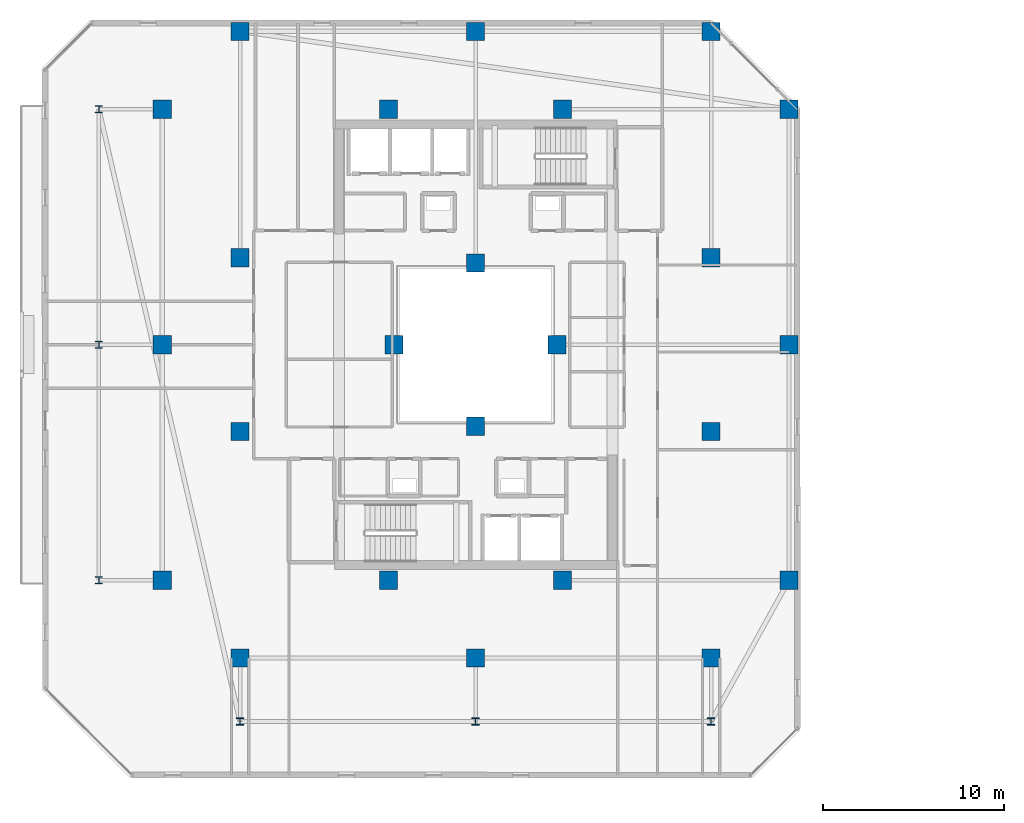
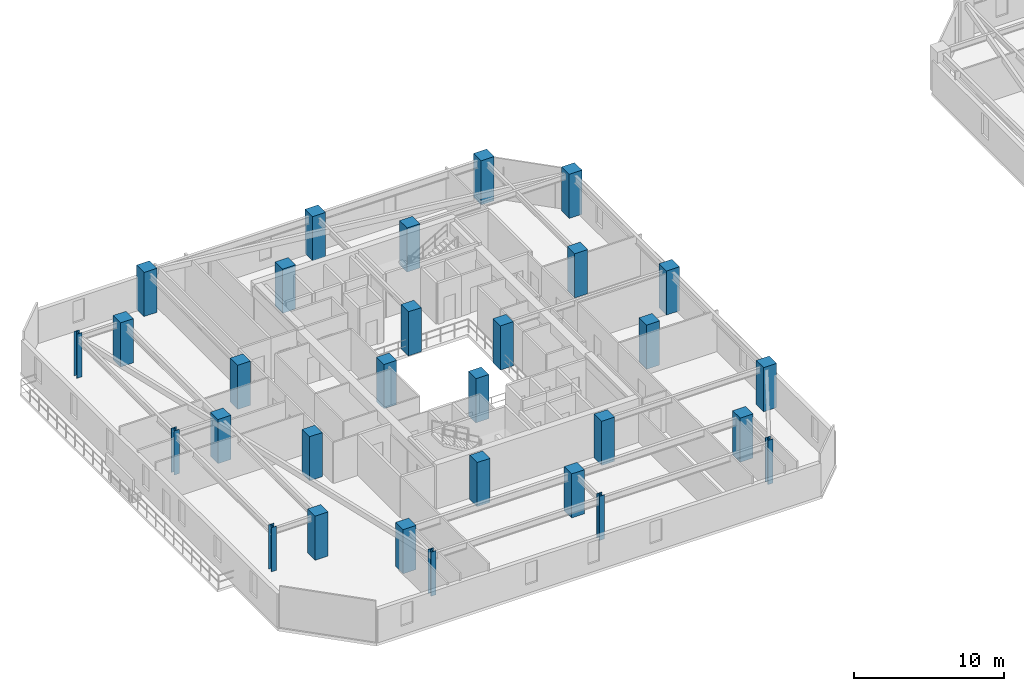
# One storey, part 1 of 32: 30 columns.
"""IFC4 building model written with IfcOpenShell, lengths in metres."""

from ifc_helpers import new_model, si_unit, direction, frame, origin, origin_2d, place, context, subcontext, project, spatial, rectangle, i_section, extrude, material, material_profile, profile_set, type_object, element, save


model = new_model("IFC4")

# Units and contexts
model_context = context("Model", 3, precision=1e-05, world=origin(), true_north=direction((0.0, 1.0)))
body_context = subcontext(model_context, "Body", "Model", "MODEL_VIEW")
ifc_project = project(units=[si_unit("LENGTHUNIT", "METRE"), si_unit("AREAUNIT", "SQUARE_METRE"), si_unit("VOLUMEUNIT", "CUBIC_METRE"), si_unit("PLANEANGLEUNIT", "RADIAN"), si_unit("MASSUNIT", "GRAM", prefix="KILO")], contexts=[model_context])

# Site, building, storey
site_placement = place(None, origin())
site = spatial("IfcSite", under=ifc_project, at=site_placement, CompositionType="ELEMENT")
building_placement = place(site_placement, origin())
building = spatial("IfcBuilding", under=site, at=building_placement, Name="Thornwick Lancets Civic Towers", CompositionType="ELEMENT")
storey_placement = place(building_placement, frame((0.0, 0.0, 247.5)))
storey = spatial("IfcBuildingStorey", under=building, at=storey_placement, Name="L66", CompositionType="ELEMENT", Elevation=247.5)

# Columns
ifc_material_1 = material(Name="Concrete C50/60", Category="concrete")
ifc_material_profile_1 = material_profile(ifc_material_1, rectangle(XDim=1.0, YDim=1.0, at=origin_2d()), Name="RC 1000x1000")
ifc_profile_set_1 = profile_set([ifc_material_profile_1], Name="Concrete C50/60")
column_type_1 = type_object("IfcColumnType", Name="COL_RC_1000", PredefinedType="COLUMN", material=ifc_profile_set_1)
for number, where, z_axis, x_axis, name in (
    (1, (12.5, 9.699951171875, 0.0), (0.0, 0.0, 1.0), (1.0, 0.0, 0.0), "L66 Spine Mega-Column A01"),
    (2, (25.5, 9.699951171875, 0.0), (0.0, 0.0, 1.0), (1.0, 0.0, 0.0), "L66 Spine Mega-Column A02"),
    (3, (38.5, 9.699951171875, 0.0), (0.0, 0.0, 1.0), (1.0, 0.0, 0.0), "L66 Spine Mega-Column A03"),
    (4, (42.800048828125, 14.0, 0.0), (0.0, 0.0, 1.0), (1.0, 0.0, 0.0), "L66 Spine Mega-Column A04"),
    (5, (42.800048828125, 27.0, 0.0), (0.0, 0.0, 1.0), (1.0, 0.0, 0.0), "L66 Spine Mega-Column A05"),
    (6, (42.800048828125, 40.0, 0.0), (0.0, 0.0, 1.0), (1.0, 0.0, 0.0), "L66 Spine Mega-Column A06"),
    (7, (12.5, 44.300048828125, 0.0), (0.0, 0.0, 1.0), (1.0, 0.0, 0.0), "L66 Spine Mega-Column A07"),
    (8, (25.5, 44.300048828125, 0.0), (0.0, 0.0, 1.0), (1.0, 0.0, 0.0), "L66 Spine Mega-Column A08"),
    (9, (38.5, 44.300048828125, 0.0), (0.0, 0.0, 1.0), (1.0, 0.0, 0.0), "L66 Spine Mega-Column A09"),
    (10, (8.199951171875, 14.0, 0.0), (0.0, 0.0, 1.0), (1.0, 0.0, 0.0), "L66 Spine Mega-Column A10"),
    (11, (8.199951171875, 27.0, 0.0), (0.0, 0.0, 1.0), (1.0, 0.0, 0.0), "L66 Spine Mega-Column A11"),
    (12, (8.199951171875, 40.0, 0.0), (0.0, 0.0, 1.0), (1.0, 0.0, 0.0), "L66 Spine Mega-Column A12"),
    (13, (12.5, 22.199951171875, 0.0), (0.0, 0.0, 1.0), (1.0, 0.0, 0.0), "L66 Spine Mega-Column A13"),
    (14, (38.5, 22.199951171875, 0.0), (0.0, 0.0, 1.0), (1.0, 0.0, 0.0), "L66 Spine Mega-Column A14"),
    (15, (12.5, 31.800048828125, 0.0), (0.0, 0.0, 1.0), (1.0, 0.0, 0.0), "L66 Spine Mega-Column A15"),
    (16, (38.5, 31.800048828125, 0.0), (0.0, 0.0, 1.0), (1.0, 0.0, 0.0), "L66 Spine Mega-Column A16"),
    (17, (20.699951171875, 14.0, 0.0), (0.0, 0.0, 1.0), (1.0, 0.0, 0.0), "L66 Spine Mega-Column A17"),
    (18, (30.300048828125, 14.0, 0.0), (0.0, 0.0, 1.0), (1.0, 0.0, 0.0), "L66 Spine Mega-Column A18"),
    (19, (20.699951171875, 40.0, 0.0), (0.0, 0.0, 1.0), (1.0, 0.0, 0.0), "L66 Spine Mega-Column A19"),
    (20, (30.300048828125, 40.0, 0.0), (0.0, 0.0, 1.0), (1.0, 0.0, 0.0), "L66 Spine Mega-Column A20"),
    (21, (25.5, 22.5, 0.0), (0.0, 0.0, 1.0), (1.0, 0.0, 0.0), "L66 Spine Mega-Column A21"),
    (22, (25.5, 31.5, 0.0), (0.0, 0.0, 1.0), (1.0, 0.0, 0.0), "L66 Spine Mega-Column A22"),
    (23, (21.0, 27.0, 0.0), (0.0, 0.0, 1.0), (1.0, 0.0, 0.0), "L66 Spine Mega-Column A23"),
    (24, (30.0, 27.0, 0.0), (0.0, 0.0, 1.0), (1.0, 0.0, 0.0), "L66 Spine Mega-Column A24"),
):
    element("IfcColumn", number, at=place(storey_placement, frame(where, z_axis=z_axis, x_axis=x_axis)), inside=storey, type_object=column_type_1, Name=name, PredefinedType="COLUMN", context=body_context, shape_type="SweptSolid", body=[
        extrude(rectangle(XDim=1.0, YDim=1.0, at=origin_2d()), origin(), (0.0, 0.0, 1.0), 3.60009765625),
    ])
ifc_material_2 = material(Name="Steel S355JR", Category="steel")
ifc_material_profile_2 = material_profile(ifc_material_2, i_section(OverallWidth=0.39892578125, OverallDepth=0.3935546875, WebThickness=0.022705078125, FlangeThickness=0.03662109375, FilletRadius=0.01513671875, at=origin_2d()), Name="UKC 356x406x287")
ifc_profile_set_2 = profile_set([ifc_material_profile_2], Name="Steel S355JR")
column_type_2 = type_object("IfcColumnType", Name="COL_UKC_287", PredefinedType="COLUMN", material=ifc_profile_set_2)
for number, where, z_axis, x_axis, name in (
    (25, (12.5, 6.199951171875, 0.0), (0.0, 0.0, 1.0), (1.0, 0.0, 0.0), "L66 Block Perimeter Column A01"),
    (26, (25.5, 6.199951171875, 0.0), (0.0, 0.0, 1.0), (1.0, 0.0, 0.0), "L66 Block Perimeter Column A02"),
    (27, (38.5, 6.199951171875, 0.0), (0.0, 0.0, 1.0), (1.0, 0.0, 0.0), "L66 Block Perimeter Column A03"),
    (28, (4.699951171875, 14.0, 0.0), (0.0, 0.0, 1.0), (1.0, 0.0, 0.0), "L66 Block Perimeter Column A10"),
    (29, (4.699951171875, 27.0, 0.0), (0.0, 0.0, 1.0), (1.0, 0.0, 0.0), "L66 Block Perimeter Column A11"),
    (30, (4.699951171875, 40.0, 0.0), (0.0, 0.0, 1.0), (1.0, 0.0, 0.0), "L66 Block Perimeter Column A12"),
):
    element("IfcColumn", number, at=place(storey_placement, frame(where, z_axis=z_axis, x_axis=x_axis)), inside=storey, type_object=column_type_2, Name=name, PredefinedType="COLUMN", context=body_context, shape_type="SweptSolid", body=[
        extrude(i_section(OverallWidth=0.39892578125, OverallDepth=0.3935546875, WebThickness=0.022705078125, FlangeThickness=0.03662109375, FilletRadius=0.01513671875, at=origin_2d()), origin(), (0.0, 0.0, 1.0), 3.60009765625),
    ])

save(model, "model.ifc")
